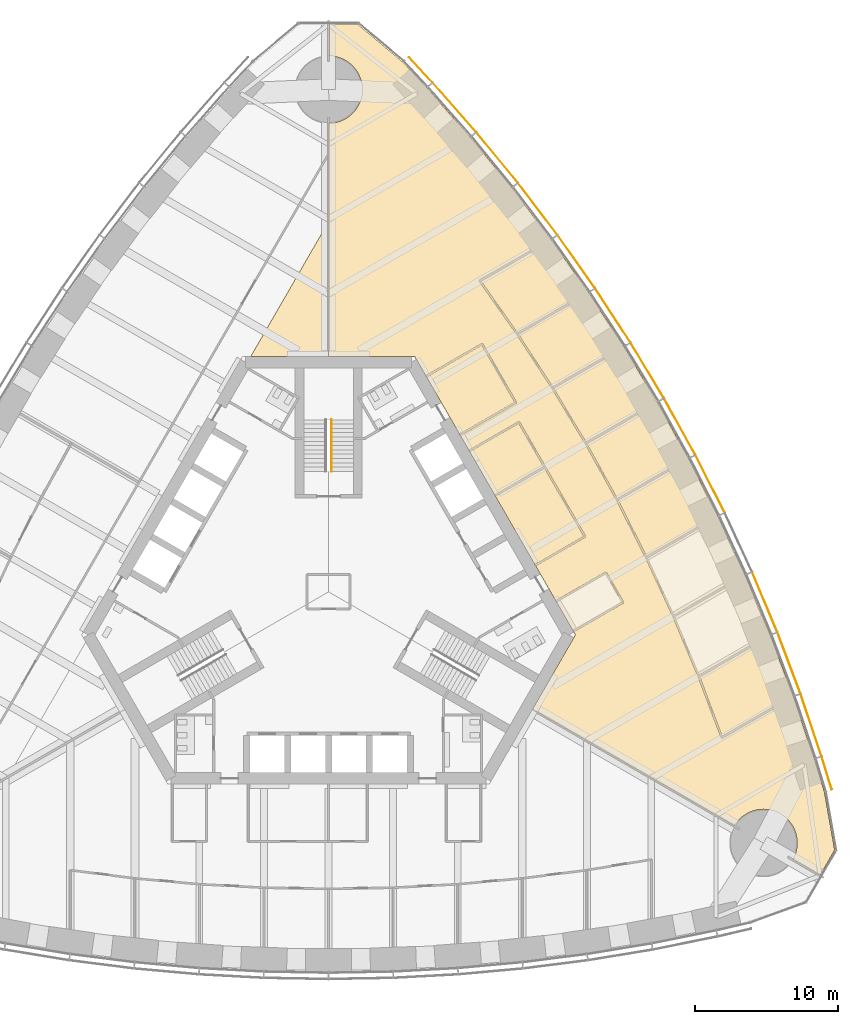
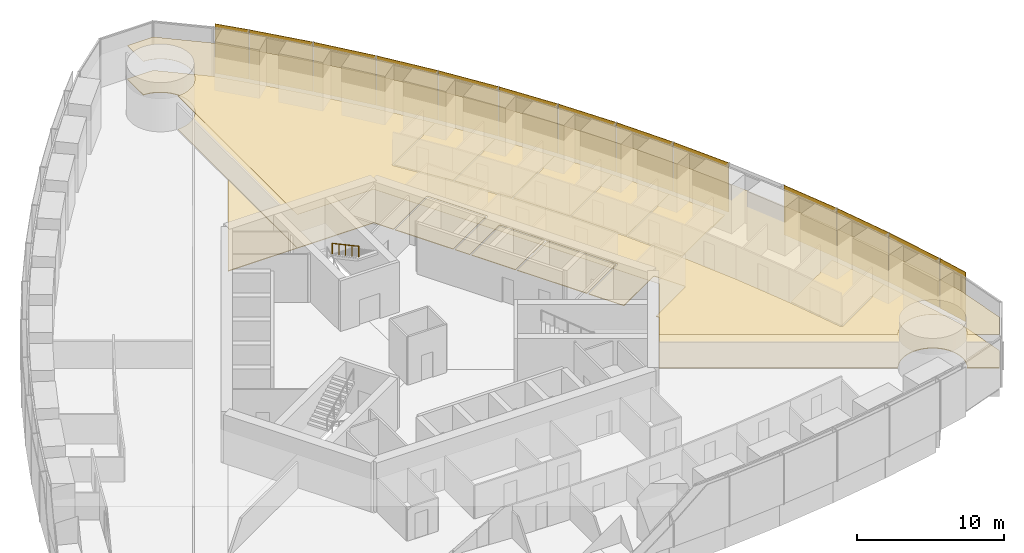
# One storey, part 18 of 20: 13 shading devices, 12 coverings, 1 railing.
"""IFC4 building model written with IfcOpenShell, lengths in metres."""

import ifcopenshell
import ifcopenshell.guid

model = None  # the IFC model being written
_history = None  # IfcOwnerHistory: only IFC2X3 demands one
_inside = {}  # id of a spatial element -> (the spatial element, [elements in it])
_under = {}  # id of a project, library or spatial element -> (it, [spatial elements below it])
_declared = {}  # id of a project -> (the project, [libraries it declares])
_typed = {}  # id of a type object -> (the type object, [elements of that type])
_made_of = {}  # id of a material, layer set ... -> (it, [elements and type objects made of it])


def new_model(schema):
    """Start an empty IFC model of exactly this schema.

    Asked for "IFC4X3", IfcOpenShell would pick the latest addendum, in which some entities
    have other attributes; the version numbers below select the first issue.
    IFC2X3 requires an IfcOwnerHistory on every rooted entity: one is made here for all.
    """
    global model, _history
    if schema == "IFC4X3":
        model = ifcopenshell.file(schema_version=(4, 3, 0, 0))
    else:
        model = ifcopenshell.file(schema=schema)
    _inside.clear()
    _under.clear()
    _declared.clear()
    _typed.clear()
    _made_of.clear()
    _history = None
    if model.schema == "IFC2X3":
        org = make("IfcOrganization", Name="unknown")
        user = make(
            "IfcPersonAndOrganization",
            ThePerson=make("IfcPerson", FamilyName="unknown"),
            TheOrganization=org,
        )
        app = make(
            "IfcApplication",
            ApplicationDeveloper=org,
            Version="unknown",
            ApplicationFullName="unknown",
            ApplicationIdentifier="unknown",
        )
        _history = make(
            "IfcOwnerHistory",
            OwningUser=user,
            OwningApplication=app,
            ChangeAction="ADDED",
            CreationDate=0,
        )
    return model


def make(cls, **values):
    """One entity of the class cls with the attributes given. An attribute that is None is left unset."""
    return model.create_entity(
        cls, **{name: value for name, value in values.items() if value is not None}
    )


def rooted(cls, **values):
    """An entity with a GlobalId (a new one), such as an element, a storey or a relation."""
    return make(cls, GlobalId=ifcopenshell.guid.new(), OwnerHistory=_history, **values)


def si_unit(unit_type, name, prefix=None):
    """IfcSIUnit, for example si_unit("LENGTHUNIT", "METRE", prefix="MILLI")."""
    return make("IfcSIUnit", UnitType=unit_type, Prefix=prefix, Name=name)


def assignment(units):
    """IfcUnitAssignment: the units of a project."""
    return None if units is None else make("IfcUnitAssignment", Units=units)


def point(xyz):
    """IfcCartesianPoint."""
    return None if xyz is None else make("IfcCartesianPoint", Coordinates=xyz)


def direction(xyz):
    """IfcDirection."""
    return None if xyz is None else make("IfcDirection", DirectionRatios=xyz)


def frame(location, z_axis=None, x_axis=None):
    """IfcAxis2Placement3D, a coordinate frame: its origin and axes. An axis left out is left unset."""
    return make(
        "IfcAxis2Placement3D",
        Location=point(location),
        Axis=direction(z_axis),
        RefDirection=direction(x_axis),
    )


def frame_2d(location, x_axis=None):
    """IfcAxis2Placement2D, a coordinate frame in the plane: its origin and x axis."""
    return make(
        "IfcAxis2Placement2D", Location=point(location), RefDirection=direction(x_axis)
    )


def origin():
    """The frame at (0, 0, 0) with its axes left unset."""
    return frame((0.0, 0.0, 0.0))


def origin_2d():
    """The frame at (0, 0) in the plane with its x axis left unset."""
    return frame_2d((0.0, 0.0))


def place(relative_to, where):
    """IfcLocalPlacement: puts the frame where relative to a parent placement (None: the world)."""
    return make(
        "IfcLocalPlacement", PlacementRelTo=relative_to, RelativePlacement=where
    )


def context(
    kind, dimensions, precision=None, world=None, true_north=None, identifier=None
):
    """IfcGeometricRepresentationContext, for example the 3D "Model" context."""
    return make(
        "IfcGeometricRepresentationContext",
        ContextIdentifier=identifier,
        ContextType=kind,
        CoordinateSpaceDimension=dimensions,
        Precision=precision,
        WorldCoordinateSystem=world,
        TrueNorth=true_north,
    )


def subcontext(parent, identifier, kind, view, scale=None):
    """IfcGeometricRepresentationSubContext, for example "Body" below "Model"."""
    return make(
        "IfcGeometricRepresentationSubContext",
        ContextIdentifier=identifier,
        ContextType=kind,
        ParentContext=parent,
        TargetScale=scale,
        TargetView=view,
    )


def project(units=None, contexts=None):
    """IfcProject with its units and contexts."""
    return rooted(
        "IfcProject",
        Name="project",
        RepresentationContexts=contexts,
        UnitsInContext=assignment(units),
    )


def spatial(cls, under=None, at=None, **own):
    """A site, building, storey or space (cls), placed at a placement, below another one or the project."""
    s = rooted(cls, ObjectPlacement=at, **own)
    if under is not None:
        _under.setdefault(under.id(), (under, []))[1].append(s)
    return s


def polyline(points):
    """IfcPolyline through the points."""
    return make("IfcPolyline", Points=[point(p) for p in points])


def profile(cls, at=None, kind="AREA", **sizes):
    """A parametric profile (cls). Its sizes go by their IFC names, for example OverallWidth=200.0."""
    return make(cls, ProfileType=kind, Position=at, **sizes)


def rectangle(**sizes):
    """IfcRectangleProfileDef."""
    return profile("IfcRectangleProfileDef", **sizes)


def circle(**sizes):
    """IfcCircleProfileDef."""
    return profile("IfcCircleProfileDef", **sizes)


def outline(outer, holes=None, kind="AREA"):
    """IfcArbitraryClosedProfileDef: a profile drawn as a closed curve; with holes, ...WithVoids."""
    if holes is None:
        return make("IfcArbitraryClosedProfileDef", ProfileType=kind, OuterCurve=outer)
    return make(
        "IfcArbitraryProfileDefWithVoids",
        ProfileType=kind,
        OuterCurve=outer,
        InnerCurves=holes,
    )


def extrude(swept, where, along, depth):
    """IfcExtrudedAreaSolid: the profile swept, set in the frame where, extruded along a direction by depth."""
    return make(
        "IfcExtrudedAreaSolid",
        SweptArea=swept,
        Position=where,
        ExtrudedDirection=direction(along),
        Depth=depth,
    )


def shape(context_of_items, identifier, shape_type, items):
    """IfcShapeRepresentation: the items that make up one representation, for example the "Body"."""
    return make(
        "IfcShapeRepresentation",
        ContextOfItems=context_of_items,
        RepresentationIdentifier=identifier,
        RepresentationType=shape_type,
        Items=items,
    )


def material(Name=None, Category=None):
    """IfcMaterial."""
    return make("IfcMaterial", Name=Name, Category=Category)


def layer(
    of_material, thickness, ventilated=None, Name=None, Category=None, Priority=None
):
    """IfcMaterialLayer: one layer of a wall or slab, of a material (None: an air gap)."""
    return make(
        "IfcMaterialLayer",
        Material=of_material,
        LayerThickness=thickness,
        IsVentilated=ventilated,
        Name=Name,
        Category=Category,
        Priority=Priority,
    )


def layer_set(layers, Name=None):
    """IfcMaterialLayerSet."""
    return make("IfcMaterialLayerSet", MaterialLayers=layers, LayerSetName=Name)


def made_of(thing, what):
    """Note that an element or type object is made of a material, layer set ...; save() writes the relation."""
    if what is not None:
        _made_of.setdefault(what.id(), (what, []))[1].append(thing)
    return thing


def type_object(cls, material=None, **own):
    """A type object (cls), such as IfcWallType, which elements share."""
    return made_of(rooted(cls, **own), material)


def element(
    cls,
    number,
    at=None,
    inside=None,
    cuts=None,
    type_object=None,
    material=None,
    context=None,
    identifier="Body",
    shape_type=None,
    held_by="IfcProductDefinitionShape",
    body=None,
    shapes=None,
    **own,
):
    """One element of the class cls, such as IfcWall. Its Tag is "e" and its number.

    at: its placement. inside: the storey or other place that contains it. cuts: it is an
    opening in that element (IfcRelVoidsElement). A single representation is given by context,
    identifier, shape_type and body (its items); several are given by shapes. held_by: the class
    of the entity that holds the representations. save() writes the other relations.
    """
    e = rooted(cls, Tag="e%d" % number, ObjectPlacement=at, **own)
    if body is not None:
        shapes = [shape(context, identifier, shape_type, body)]
    if shapes is not None:
        e.Representation = make(held_by, Representations=shapes)
    if inside is not None:
        _inside.setdefault(inside.id(), (inside, []))[1].append(e)
    if cuts is not None:
        rooted(
            "IfcRelVoidsElement", RelatingBuildingElement=cuts, RelatedOpeningElement=e
        )
    if type_object is not None:
        _typed.setdefault(type_object.id(), (type_object, []))[1].append(e)
    return made_of(e, material)


def aggregate(whole, parts):
    """IfcRelAggregates: a whole, such as a stair, and the parts it consists of."""
    return rooted("IfcRelAggregates", RelatingObject=whole, RelatedObjects=parts)


def save(model, path):
    """Write the relations noted so far, then the file.

    IfcRelAggregates (storeys below a building ...), IfcRelContainedInSpatialStructure (elements
    in a storey), IfcRelDefinesByType, IfcRelAssociatesMaterial and IfcRelDeclares: one each for
    every whole, place, type object, material and project.
    """
    for whole, parts in _under.values():
        aggregate(whole, parts)
    for where, things in _inside.values():
        rooted(
            "IfcRelContainedInSpatialStructure",
            RelatedElements=things,
            RelatingStructure=where,
        )
    for kind, things in _typed.values():
        rooted("IfcRelDefinesByType", RelatedObjects=things, RelatingType=kind)
    for what, things in _made_of.values():
        rooted("IfcRelAssociatesMaterial", RelatedObjects=things, RelatingMaterial=what)
    for by, libraries in _declared.values():
        rooted("IfcRelDeclares", RelatingContext=by, RelatedDefinitions=libraries)
    model.write(path)


model = new_model("IFC4")

# Units and contexts
model_context = context("Model", 3, precision=1e-05, world=origin(), true_north=direction((0.0, 1.0)))
body_context = subcontext(model_context, "Body", "Model", "MODEL_VIEW")
ifc_project = project(units=[si_unit("LENGTHUNIT", "METRE"), si_unit("AREAUNIT", "SQUARE_METRE"), si_unit("VOLUMEUNIT", "CUBIC_METRE"), si_unit("PLANEANGLEUNIT", "RADIAN"), si_unit("MASSUNIT", "GRAM", prefix="KILO")], contexts=[model_context])

# Site, building, storey
site_placement = place(None, origin())
site = spatial("IfcSite", under=ifc_project, at=site_placement, CompositionType="ELEMENT")
building_placement = place(site_placement, origin())
building = spatial("IfcBuilding", under=site, at=building_placement, Name="Trefoil Bronze Tower", CompositionType="ELEMENT")
storey_placement = place(building_placement, frame((0.0, 0.0, 103.10009765625)))
storey = spatial("IfcBuildingStorey", under=building, at=storey_placement, Name="L23", CompositionType="ELEMENT", Elevation=103.10009765625)

# Shading devices
ifc_material_1 = material(Name="Perforated bronze sheet", Category="bronze")
ifc_layer_1 = layer(ifc_material_1, 0.0400390625)
ifc_layer_set_1 = layer_set([ifc_layer_1], Name="Bronze solar screen panel")
shading_device_type = type_object("IfcShadingDeviceType", Name="Bronze solar screen panel", PredefinedType="SHUTTER", material=ifc_layer_set_1)
shading_device_1_placement = place(storey_placement, frame((34.717529296875, -12.634765625, 0.0498046875), z_axis=(0.0, 0.0, 1.0), x_axis=(-0.291668676391, 0.956519410787, 0.0)))
element("IfcShadingDevice", 1, at=shading_device_1_placement, inside=storey, type_object=shading_device_type, Name="Solar screen CW-A L23 F2 bay 1", PredefinedType="SHUTTER", context=body_context, shape_type="SweptSolid", body=[
    extrude(rectangle(XDim=2.39013671875, YDim=0.0400390625, at=origin_2d()), origin(), (0.0, 0.0, 1.0), 4.10009765625),
])
shading_device_2_placement = place(storey_placement, frame((33.62890625, -9.286865234375, 0.0498046875), z_axis=(0.0, 0.0, 1.0), x_axis=(-0.318403749569, 0.947955195281, 0.0)))
element("IfcShadingDevice", 2, at=shading_device_2_placement, inside=storey, type_object=shading_device_type, Name="Solar screen CW-A L23 F2 bay 2", PredefinedType="SHUTTER", context=body_context, shape_type="SweptSolid", body=[
    extrude(rectangle(XDim=4.56103515625, YDim=0.0400390625, at=origin_2d()), origin(), (0.0, 0.0, 1.0), 4.10009765625),
])
shading_device_3_placement = place(storey_placement, frame((32.086669921875, -4.95849609375, 0.0498046875), z_axis=(0.0, 0.0, 1.0), x_axis=(-0.352919739707, 0.935653599002, 0.0)))
element("IfcShadingDevice", 3, at=shading_device_3_placement, inside=storey, type_object=shading_device_type, Name="Solar screen CW-A L23 F2 bay 3", PredefinedType="SHUTTER", context=body_context, shape_type="SweptSolid", body=[
    extrude(rectangle(XDim=4.5302734375, YDim=0.0400390625, at=origin_2d()), origin(), (0.0, 0.0, 1.0), 4.10009765625),
])
shading_device_4_placement = place(storey_placement, frame((30.3974609375, -0.715087890625, 0.0498046875), z_axis=(0.0, 0.0, 1.0), x_axis=(-0.386759234303, 0.922180727776, 0.0)))
element("IfcShadingDevice", 4, at=shading_device_4_placement, inside=storey, type_object=shading_device_type, Name="Solar screen CW-A L23 F2 bay 4", PredefinedType="SHUTTER", context=body_context, shape_type="SweptSolid", body=[
    extrude(rectangle(XDim=4.50634765625, YDim=0.0400390625, at=origin_2d()), origin(), (0.0, 0.0, 1.0), 4.10009765625),
])
shading_device_5_placement = place(storey_placement, frame((26.5869140625, 7.52197265625, 0.0498046875), z_axis=(0.0, 0.0, 1.0), x_axis=(-0.452448919686, 0.891790320128, 0.0)))
element("IfcShadingDevice", 5, at=shading_device_5_placement, inside=storey, type_object=shading_device_type, Name="Solar screen CW-A L23 F2 bay 6", PredefinedType="SHUTTER", context=body_context, shape_type="SweptSolid", body=[
    extrude(rectangle(XDim=4.4765625, YDim=0.0400390625, at=origin_2d()), origin(), (0.0, 0.0, 1.0), 4.10009765625),
])
for number, where, z_axis, x_axis, name in (
    (6, (24.468505859375, 11.517578125, 0.0498046875), (0.0, 0.0, 1.0), (-0.484312195836, 0.874895249138, 0.0), "Solar screen CW-A L23 F2 bay 7"),
    (7, (22.208740234375, 15.431396484375, 0.0498046875), (0.0, 0.0, 1.0), (-0.515525413486, 0.856874289526, 0.0), "Solar screen CW-A L23 F2 bay 8"),
):
    element("IfcShadingDevice", number, at=place(storey_placement, frame(where, z_axis=z_axis, x_axis=x_axis)), inside=storey, type_object=shading_device_type, Name=name, PredefinedType="SHUTTER", context=body_context, shape_type="SweptSolid", body=[
        extrude(rectangle(XDim=4.470703125, YDim=0.0400390625, at=origin_2d()), origin(), (0.0, 0.0, 1.0), 4.10009765625),
    ])
shading_device_6_placement = place(storey_placement, frame((19.8076171875, 19.263916015625, 0.0498046875), z_axis=(0.0, 0.0, 1.0), x_axis=(-0.546088612237, 0.837727418427, 0.0)))
element("IfcShadingDevice", 8, at=shading_device_6_placement, inside=storey, type_object=shading_device_type, Name="Solar screen CW-A L23 F2 bay 9", PredefinedType="SHUTTER", context=body_context, shape_type="SweptSolid", body=[
    extrude(rectangle(XDim=4.4765625, YDim=0.0400390625, at=origin_2d()), origin(), (0.0, 0.0, 1.0), 4.10009765625),
])
shading_device_7_placement = place(storey_placement, frame((17.264892578125, 23.014404296875, 0.0498046875), z_axis=(0.0, 0.0, 1.0), x_axis=(-0.575999283275, 0.817450197667, 0.0)))
element("IfcShadingDevice", 9, at=shading_device_7_placement, inside=storey, type_object=shading_device_type, Name="Solar screen CW-A L23 F2 bay 10", PredefinedType="SHUTTER", context=body_context, shape_type="SweptSolid", body=[
    extrude(rectangle(XDim=4.48828125, YDim=0.0400390625, at=origin_2d()), origin(), (0.0, 0.0, 1.0), 4.10009765625),
])
shading_device_8_placement = place(storey_placement, frame((14.579345703125, 26.6826171875, 0.0498046875), z_axis=(0.0, 0.0, 1.0), x_axis=(-0.605252319983, 0.796033685943, 0.0)))
element("IfcShadingDevice", 10, at=shading_device_8_placement, inside=storey, type_object=shading_device_type, Name="Solar screen CW-A L23 F2 bay 11", PredefinedType="SHUTTER", context=body_context, shape_type="SweptSolid", body=[
    extrude(rectangle(XDim=4.50634765625, YDim=0.0400390625, at=origin_2d()), origin(), (0.0, 0.0, 1.0), 4.10009765625),
])
shading_device_9_placement = place(storey_placement, frame((11.7490234375, 30.26708984375, 0.0498046875), z_axis=(0.0, 0.0, 1.0), x_axis=(-0.633839916024, 0.773464259584, 0.0)))
element("IfcShadingDevice", 11, at=shading_device_9_placement, inside=storey, type_object=shading_device_type, Name="Solar screen CW-A L23 F2 bay 12", PredefinedType="SHUTTER", context=body_context, shape_type="SweptSolid", body=[
    extrude(rectangle(XDim=4.5302734375, YDim=0.0400390625, at=origin_2d()), origin(), (0.0, 0.0, 1.0), 4.10009765625),
])
shading_device_10_placement = place(storey_placement, frame((8.77197265625, 33.766845703125, 0.0498046875), z_axis=(0.0, 0.0, 1.0), x_axis=(-0.661751405978, 0.749723333428, 0.0)))
element("IfcShadingDevice", 12, at=shading_device_10_placement, inside=storey, type_object=shading_device_type, Name="Solar screen CW-A L23 F2 bay 13", PredefinedType="SHUTTER", context=body_context, shape_type="SweptSolid", body=[
    extrude(rectangle(XDim=4.56103515625, YDim=0.0400390625, at=origin_2d()), origin(), (0.0, 0.0, 1.0), 4.10009765625),
])
shading_device_11_placement = place(storey_placement, frame((6.416748046875, 36.383544921875, 0.0498046875), z_axis=(0.0, 0.0, 1.0), x_axis=(-0.682535770759, 0.730852188636, 0.0)))
element("IfcShadingDevice", 13, at=shading_device_11_placement, inside=storey, type_object=shading_device_type, Name="Solar screen CW-A L23 F2 bay 14", PredefinedType="SHUTTER", context=body_context, shape_type="SweptSolid", body=[
    extrude(rectangle(XDim=2.39013671875, YDim=0.0400390625, at=origin_2d()), origin(), (0.0, 0.0, 1.0), 4.10009765625),
])

# Railing
ifc_material_2 = material(Name="Steel handrail", Category="steel")
railing_type = type_object("IfcRailingType", Name="Handrail 900", PredefinedType="HANDRAIL", material=ifc_material_2)
railing_placement = place(storey_placement, frame((0.199951171875, 11.989990234375, 2.261474609375)))
element("IfcRailing", 14, at=railing_placement, inside=storey, type_object=railing_type, Name="Handrail ST2 flight 2 L23", PredefinedType="HANDRAIL", context=body_context, shape_type="SweptSolid", body=[
    extrude(circle(Radius=0.02392578125, at=origin_2d()), frame((0.0, 0.0, 0.8759765625), z_axis=(0.0, -0.880474934443, 0.474092701714), x_axis=(1.0, 0.0, 0.0)), (0.0, 0.0, 1.0), 4.0888671875),
    extrude(circle(Radius=0.02099609375, at=origin_2d()), origin(), (0.0, 0.0, 1.0), 0.851806640625),
    extrude(circle(Radius=0.02099609375, at=origin_2d()), frame((0.0, -0.89990234375, 0.484619140625)), (0.0, 0.0, 1.0), 0.851806640625),
    extrude(circle(Radius=0.02099609375, at=origin_2d()), frame((0.0, -1.800048828125, 0.96923828125)), (0.0, 0.0, 1.0), 0.851806640625),
    extrude(circle(Radius=0.02099609375, at=origin_2d()), frame((0.0, -2.7001953125, 1.453857421875)), (0.0, 0.0, 1.0), 0.851806640625),
    extrude(circle(Radius=0.02099609375, at=origin_2d()), frame((0.0, -3.60009765625, 1.9384765625)), (0.0, 0.0, 1.0), 0.851806640625),
])

# Coverings
ifc_material_3 = material(Name="Acoustic ceiling panels", Category="mineral fibre")
ifc_layer_2 = layer(ifc_material_3, 0.02001953125)
ifc_layer_set_2 = layer_set([ifc_layer_2], Name="Office ceiling 20")
covering_type_1 = type_object("IfcCoveringType", Name="Office ceiling 20", PredefinedType="CEILING", material=ifc_layer_set_2)
covering_1_placement = place(storey_placement, frame((0.0, 0.0, 2.89990234375)))
element("IfcCovering", 15, at=covering_1_placement, inside=storey, type_object=covering_type_1, Name="Ceiling L23 Secretarial area F2", PredefinedType="CEILING", context=body_context, shape_type="SweptSolid", body=[
    extrude(outline(polyline([(6.847900390625, 35.130615234375), (9.885986328125, 31.6884765625), (12.776611328125, 28.1611328125), (15.522216796875, 24.55029296875), (18.124755859375, 20.856689453125), (20.585693359375, 17.081298828125), (22.906005859375, 13.224853515625), (25.085693359375, 9.287109375), (27.124755859375, 5.268310546875), (29.022216796875, 1.16748046875), (30.776611328125, -3.015625), (32.385986328125, -7.28271484375), (33.847900390625, -11.634765625), (34.5537109375, -13.94970703125), (35.2666015625, -17.99169921875), (34.247802734375, -19.755859375), (32.352294921875, -18.66259765625), (32.38330078125, -18.60791015625), (32.435302734375, -18.5048828125), (32.48193359375, -18.3994140625), (32.5234375, -18.291748046875), (32.559814453125, -18.18212890625), (32.590576171875, -18.071044921875), (32.61572265625, -17.95849609375), (32.635498046875, -17.8447265625), (32.649658203125, -17.730224609375), (32.658203125, -17.615234375), (32.660888671875, -17.5), (32.658203125, -17.384765625), (32.649658203125, -17.269775390625), (32.635498046875, -17.1552734375), (32.61572265625, -17.04150390625), (32.590576171875, -16.928955078125), (32.559814453125, -16.81787109375), (32.5234375, -16.708251953125), (32.48193359375, -16.6005859375), (32.435302734375, -16.4951171875), (32.38330078125, -16.39208984375), (32.32666015625, -16.2919921875), (32.264892578125, -16.1943359375), (32.198486328125, -16.10009765625), (32.12744140625, -16.00927734375), (32.052001953125, -15.921875), (31.97265625, -15.83837890625), (31.88916015625, -15.7587890625), (31.8017578125, -15.683349609375), (31.710693359375, -15.612548828125), (31.616455078125, -15.5458984375), (31.51904296875, -15.484375), (31.418701171875, -15.427490234375), (31.315673828125, -15.37548828125), (31.210205078125, -15.328857421875), (31.1025390625, -15.287353515625), (30.9931640625, -15.251220703125), (30.8818359375, -15.220458984375), (30.769287109375, -15.1953125), (30.65576171875, -15.17529296875), (30.541259765625, -15.161376953125), (30.42626953125, -15.15283203125), (30.310791015625, -15.14990234375), (30.195556640625, -15.15283203125), (30.08056640625, -15.161376953125), (29.966064453125, -15.17529296875), (29.852294921875, -15.1953125), (29.739990234375, -15.220458984375), (29.628662109375, -15.251220703125), (29.519287109375, -15.287353515625), (29.41162109375, -15.328857421875), (29.30615234375, -15.37548828125), (29.203125, -15.427490234375), (29.102783203125, -15.484375), (29.00537109375, -15.5458984375), (28.910888671875, -15.612548828125), (28.820068359375, -15.683349609375), (28.732666015625, -15.7587890625), (28.649169921875, -15.83837890625), (28.569580078125, -15.921875), (28.494384765625, -16.00927734375), (28.42333984375, -16.10009765625), (28.35693359375, -16.1943359375), (28.295166015625, -16.2919921875), (28.2822265625, -16.314697265625), (14.205810546875, -8.194580078125), (17.205078125, -3.0), (6.00439453125, 16.39990234375), (0.006103515625, 16.39990234375), (0.01220703125, 32.650390625), (0.115234375, 32.65283203125), (0.230224609375, 32.661376953125), (0.3447265625, 32.67529296875), (0.45849609375, 32.6953125), (0.571044921875, 32.720458984375), (0.68212890625, 32.751220703125), (0.791748046875, 32.787353515625), (0.8994140625, 32.828857421875), (1.0048828125, 32.87548828125), (1.10791015625, 32.927490234375), (1.2080078125, 32.984375), (1.3056640625, 33.0458984375), (1.39990234375, 33.112548828125), (1.49072265625, 33.183349609375), (1.578125, 33.2587890625), (1.66162109375, 33.33837890625), (1.7412109375, 33.421875), (1.816650390625, 33.50927734375), (1.887451171875, 33.60009765625), (1.9541015625, 33.6943359375), (2.015625, 33.7919921875), (2.072509765625, 33.89208984375), (2.12451171875, 33.9951171875), (2.171142578125, 34.1005859375), (2.212646484375, 34.208251953125), (2.248779296875, 34.31787109375), (2.279541015625, 34.428955078125), (2.3046875, 34.54150390625), (2.32470703125, 34.6552734375), (2.338623046875, 34.769775390625), (2.34716796875, 34.884765625), (2.35009765625, 35.0), (2.34716796875, 35.115234375), (2.338623046875, 35.230224609375), (2.32470703125, 35.3447265625), (2.3046875, 35.45849609375), (2.279541015625, 35.571044921875), (2.248779296875, 35.68212890625), (2.212646484375, 35.791748046875), (2.171142578125, 35.8994140625), (2.12451171875, 36.0048828125), (2.072509765625, 36.10791015625), (2.015625, 36.2080078125), (1.9541015625, 36.3056640625), (1.887451171875, 36.39990234375), (1.816650390625, 36.49072265625), (1.7412109375, 36.578125), (1.66162109375, 36.66162109375), (1.578125, 36.7412109375), (1.49072265625, 36.816650390625), (1.39990234375, 36.887451171875), (1.3056640625, 36.9541015625), (1.2080078125, 37.015625), (1.10791015625, 37.072509765625), (1.0048828125, 37.12451171875), (0.8994140625, 37.171142578125), (0.791748046875, 37.212646484375), (0.68212890625, 37.248779296875), (0.571044921875, 37.279541015625), (0.45849609375, 37.3046875), (0.3447265625, 37.32470703125), (0.230224609375, 37.338623046875), (0.115234375, 37.34716796875), (0.013916015625, 37.349609375), (0.014892578125, 39.53759765625), (2.052001953125, 39.53759765625), (5.1962890625, 36.8994140625), (6.847900390625, 35.130615234375)])), origin(), (0.0, 0.0, 1.0), 0.02001953125),
])
ifc_material_4 = material(Name="Raised access floor panels", Category="steel")
ifc_layer_3 = layer(ifc_material_4, 0.050048828125)
ifc_layer_set_3 = layer_set([ifc_layer_3], Name="Raised access floor 150")
covering_type_2 = type_object("IfcCoveringType", Name="Raised access floor 150", PredefinedType="FLOORING", material=ifc_layer_set_3)
covering_2_placement = place(storey_placement, frame((0.0, 0.0, 0.099853515625)))
element("IfcCovering", 16, at=covering_2_placement, inside=storey, type_object=covering_type_2, Name="Raised floor L23 Reception F2", PredefinedType="FLOORING", context=body_context, shape_type="SweptSolid", body=[
    extrude(outline(polyline([(6.834716796875, 14.9619140625), (10.679931640625, 17.181884765625), (12.969970703125, 13.215576171875), (9.124755859375, 10.99560546875), (6.834716796875, 14.9619140625)])), origin(), (0.0, 0.0, 1.0), 0.050048828125),
])
covering_3_placement = place(storey_placement, frame((0.0, 0.0, 0.099853515625)))
element("IfcCovering", 17, at=covering_3_placement, inside=storey, type_object=covering_type_2, Name="Raised floor L23 Meeting room F2", PredefinedType="FLOORING", context=body_context, shape_type="SweptSolid", body=[
    extrude(outline(polyline([(11.634765625, 6.64794921875), (15.046875, 8.617919921875), (17.786865234375, 3.872314453125), (14.374755859375, 1.902099609375), (11.634765625, 6.64794921875)])), origin(), (0.0, 0.0, 1.0), 0.050048828125),
])
covering_4_placement = place(storey_placement, frame((0.0, 0.0, 0.099853515625)))
element("IfcCovering", 18, at=covering_4_placement, inside=storey, type_object=covering_type_2, Name="Raised floor L23 Meeting room F2", PredefinedType="FLOORING", context=body_context, shape_type="SweptSolid", body=[
    extrude(outline(polyline([(9.834716796875, 9.765625), (13.246826171875, 11.735595703125), (14.98681640625, 8.721923828125), (11.57470703125, 6.751953125), (9.834716796875, 9.765625)])), origin(), (0.0, 0.0, 1.0), 0.050048828125),
])
covering_5_placement = place(storey_placement, frame((0.0, 0.0, 0.099853515625)))
element("IfcCovering", 19, at=covering_5_placement, inside=storey, type_object=covering_type_2, Name="Raised floor L23 Office F2", PredefinedType="FLOORING", context=body_context, shape_type="SweptSolid", body=[
    extrude(outline(polyline([(18.124755859375, 20.856689453125), (16.709716796875, 20.03955078125), (16.6796875, 20.091552734375), (13.16259765625, 18.06103515625), (10.62939453125, 21.656005859375), (14.13232421875, 23.678466796875), (14.102294921875, 23.73046875), (15.522216796875, 24.55029296875), (18.124755859375, 20.856689453125)])), origin(), (0.0, 0.0, 1.0), 0.050048828125),
])
covering_6_placement = place(storey_placement, frame((0.0, 0.0, 0.099853515625)))
element("IfcCovering", 20, at=covering_6_placement, inside=storey, type_object=covering_type_2, Name="Raised floor L23 Office F2", PredefinedType="FLOORING", context=body_context, shape_type="SweptSolid", body=[
    extrude(outline(polyline([(20.585693359375, 17.081298828125), (19.17333984375, 16.265869140625), (19.143310546875, 16.31787109375), (15.62548828125, 14.286865234375), (13.22998046875, 17.96142578125), (16.739501953125, 19.987548828125), (16.709716796875, 20.03955078125), (18.124755859375, 20.856689453125), (20.585693359375, 17.081298828125)])), origin(), (0.0, 0.0, 1.0), 0.050048828125),
])
covering_7_placement = place(storey_placement, frame((0.0, 0.0, 0.099853515625)))
element("IfcCovering", 21, at=covering_7_placement, inside=storey, type_object=covering_type_2, Name="Raised floor L23 Office F2", PredefinedType="FLOORING", context=body_context, shape_type="SweptSolid", body=[
    extrude(outline(polyline([(20.585693359375, 17.081298828125), (22.906005859375, 13.224853515625), (21.494384765625, 12.409912109375), (21.464599609375, 12.4619140625), (17.947509765625, 10.431396484375), (15.689208984375, 14.18505859375), (19.203369140625, 16.2138671875), (19.17333984375, 16.265869140625), (20.585693359375, 17.081298828125)])), origin(), (0.0, 0.0, 1.0), 0.050048828125),
])
covering_8_placement = place(storey_placement, frame((0.0, 0.0, 0.099853515625)))
element("IfcCovering", 22, at=covering_8_placement, inside=storey, type_object=covering_type_2, Name="Raised floor L23 Office F2", PredefinedType="FLOORING", context=body_context, shape_type="SweptSolid", body=[
    extrude(outline(polyline([(22.906005859375, 13.224853515625), (25.085693359375, 9.287109375), (23.67333984375, 8.4716796875), (23.643310546875, 8.523681640625), (20.129150390625, 6.49462890625), (18.007568359375, 10.327392578125), (21.5244140625, 12.35791015625), (21.494384765625, 12.409912109375), (22.906005859375, 13.224853515625)])), origin(), (0.0, 0.0, 1.0), 0.050048828125),
])
covering_9_placement = place(storey_placement, frame((0.0, 0.0, 0.099853515625)))
element("IfcCovering", 23, at=covering_9_placement, inside=storey, type_object=covering_type_2, Name="Raised floor L23 Office F2", PredefinedType="FLOORING", context=body_context, shape_type="SweptSolid", body=[
    extrude(outline(polyline([(25.085693359375, 9.287109375), (27.124755859375, 5.268310546875), (25.709716796875, 4.451171875), (25.6796875, 4.503173828125), (22.170166015625, 2.476806640625), (20.185302734375, 6.388671875), (23.703369140625, 8.419677734375), (23.67333984375, 8.4716796875), (25.085693359375, 9.287109375)])), origin(), (0.0, 0.0, 1.0), 0.050048828125),
])
covering_10_placement = place(storey_placement, frame((0.0, 0.0, 0.099853515625)))
element("IfcCovering", 24, at=covering_10_placement, inside=storey, type_object=covering_type_2, Name="Raised floor L23 Office F2", PredefinedType="FLOORING", context=body_context, shape_type="SweptSolid", body=[
    extrude(outline(polyline([(30.776611328125, -3.015625), (32.385986328125, -7.28271484375), (30.951171875, -8.111083984375), (30.921142578125, -8.05908203125), (27.437744140625, -10.0703125), (25.87109375, -5.917236328125), (29.38037109375, -3.89111328125), (29.350341796875, -3.839111328125), (30.776611328125, -3.015625)])), origin(), (0.0, 0.0, 1.0), 0.050048828125),
])
covering_11_placement = place(storey_placement, frame((0.0, 0.0, 0.099853515625)))
element("IfcCovering", 25, at=covering_11_placement, inside=storey, type_object=covering_type_2, Name="Raised floor L23 Secretarial area F2", PredefinedType="FLOORING", context=body_context, shape_type="SweptSolid", body=[
    extrude(outline(polyline([(12.776611328125, 28.1611328125), (15.522216796875, 24.55029296875), (14.102294921875, 23.73046875), (14.072509765625, 23.782470703125), (10.5126953125, 21.727294921875), (10.54248046875, 21.67529296875), (10.49365234375, 21.640625), (13.095458984375, 17.947998046875), (15.555419921875, 14.174560546875), (17.87451171875, 10.31982421875), (20.05322265625, 6.384033203125), (22.09130859375, 2.3671875), (23.98779296875, -1.731689453125), (25.7412109375, -5.912841796875), (27.350341796875, -10.1787109375), (27.406494140625, -10.15771484375), (27.4365234375, -10.209716796875), (30.981201171875, -8.1630859375), (30.951171875, -8.111083984375), (32.385986328125, -7.28271484375), (33.847900390625, -11.634765625), (34.5537109375, -13.94970703125), (35.2666015625, -17.99169921875), (34.247802734375, -19.755859375), (32.352294921875, -18.66259765625), (32.38330078125, -18.60791015625), (32.435302734375, -18.5048828125), (32.48193359375, -18.3994140625), (32.5234375, -18.291748046875), (32.559814453125, -18.18212890625), (32.590576171875, -18.071044921875), (32.61572265625, -17.95849609375), (32.635498046875, -17.8447265625), (32.649658203125, -17.730224609375), (32.658203125, -17.615234375), (32.660888671875, -17.5), (32.658203125, -17.384765625), (32.649658203125, -17.269775390625), (32.635498046875, -17.1552734375), (32.61572265625, -17.04150390625), (32.590576171875, -16.928955078125), (32.559814453125, -16.81787109375), (32.5234375, -16.708251953125), (32.48193359375, -16.6005859375), (32.435302734375, -16.4951171875), (32.38330078125, -16.39208984375), (32.32666015625, -16.2919921875), (32.264892578125, -16.1943359375), (32.198486328125, -16.10009765625), (32.12744140625, -16.00927734375), (32.052001953125, -15.921875), (31.97265625, -15.83837890625), (31.88916015625, -15.7587890625), (31.8017578125, -15.683349609375), (31.710693359375, -15.612548828125), (31.616455078125, -15.5458984375), (31.51904296875, -15.484375), (31.418701171875, -15.427490234375), (31.315673828125, -15.37548828125), (31.210205078125, -15.328857421875), (31.1025390625, -15.287353515625), (30.9931640625, -15.251220703125), (30.8818359375, -15.220458984375), (30.769287109375, -15.1953125), (30.65576171875, -15.17529296875), (30.541259765625, -15.161376953125), (30.42626953125, -15.15283203125), (30.310791015625, -15.14990234375), (30.195556640625, -15.15283203125), (30.08056640625, -15.161376953125), (29.966064453125, -15.17529296875), (29.852294921875, -15.1953125), (29.739990234375, -15.220458984375), (29.628662109375, -15.251220703125), (29.519287109375, -15.287353515625), (29.41162109375, -15.328857421875), (29.30615234375, -15.37548828125), (29.203125, -15.427490234375), (29.102783203125, -15.484375), (29.00537109375, -15.5458984375), (28.910888671875, -15.612548828125), (28.820068359375, -15.683349609375), (28.732666015625, -15.7587890625), (28.649169921875, -15.83837890625), (28.569580078125, -15.921875), (28.494384765625, -16.00927734375), (28.42333984375, -16.10009765625), (28.35693359375, -16.1943359375), (28.295166015625, -16.2919921875), (28.2822265625, -16.314697265625), (14.205810546875, -8.194580078125), (17.205078125, -3.0), (17.084716796875, -2.79150390625), (20.548828125, -0.79150390625), (20.518798828125, -0.73974609375), (20.57080078125, -0.709716796875), (19.370849609375, 1.368896484375), (19.31884765625, 1.3388671875), (19.288818359375, 1.390625), (15.82470703125, -0.609375), (14.434814453125, 1.79833984375), (17.898681640625, 3.79833984375), (17.868896484375, 3.850341796875), (17.9208984375, 3.88037109375), (13.32080078125, 11.84765625), (13.268798828125, 11.817626953125), (13.23876953125, 11.86962890625), (9.774658203125, 9.86962890625), (9.184814453125, 10.8916015625), (13.081787109375, 13.1416015625), (13.052001953125, 13.193603515625), (13.103759765625, 13.223388671875), (10.75390625, 17.293701171875), (10.701904296875, 17.263916015625), (10.671875, 17.31591796875), (6.774658203125, 15.06591796875), (6.00439453125, 16.39990234375), (0.006103515625, 16.39990234375), (0.01220703125, 32.650390625), (0.115234375, 32.65283203125), (0.230224609375, 32.661376953125), (0.3447265625, 32.67529296875), (0.45849609375, 32.6953125), (0.571044921875, 32.720458984375), (0.68212890625, 32.751220703125), (0.791748046875, 32.787353515625), (0.8994140625, 32.828857421875), (1.0048828125, 32.87548828125), (1.10791015625, 32.927490234375), (1.2080078125, 32.984375), (1.3056640625, 33.0458984375), (1.39990234375, 33.112548828125), (1.49072265625, 33.183349609375), (1.578125, 33.2587890625), (1.66162109375, 33.33837890625), (1.7412109375, 33.421875), (1.816650390625, 33.50927734375), (1.887451171875, 33.60009765625), (1.9541015625, 33.6943359375), (2.015625, 33.7919921875), (2.072509765625, 33.89208984375), (2.12451171875, 33.9951171875), (2.171142578125, 34.1005859375), (2.212646484375, 34.208251953125), (2.248779296875, 34.31787109375), (2.279541015625, 34.428955078125), (2.3046875, 34.54150390625), (2.32470703125, 34.6552734375), (2.338623046875, 34.769775390625), (2.34716796875, 34.884765625), (2.35009765625, 35.0), (2.34716796875, 35.115234375), (2.338623046875, 35.230224609375), (2.32470703125, 35.3447265625), (2.3046875, 35.45849609375), (2.279541015625, 35.571044921875), (2.248779296875, 35.68212890625), (2.212646484375, 35.791748046875), (2.171142578125, 35.8994140625), (2.12451171875, 36.0048828125), (2.072509765625, 36.10791015625), (2.015625, 36.2080078125), (1.9541015625, 36.3056640625), (1.887451171875, 36.39990234375), (1.816650390625, 36.49072265625), (1.7412109375, 36.578125), (1.66162109375, 36.66162109375), (1.578125, 36.7412109375), (1.49072265625, 36.816650390625), (1.39990234375, 36.887451171875), (1.3056640625, 36.9541015625), (1.2080078125, 37.015625), (1.10791015625, 37.072509765625), (1.0048828125, 37.12451171875), (0.8994140625, 37.171142578125), (0.791748046875, 37.212646484375), (0.68212890625, 37.248779296875), (0.571044921875, 37.279541015625), (0.45849609375, 37.3046875), (0.3447265625, 37.32470703125), (0.230224609375, 37.338623046875), (0.115234375, 37.34716796875), (0.013916015625, 37.349609375), (0.014892578125, 39.53759765625), (2.052001953125, 39.53759765625), (5.1962890625, 36.8994140625), (6.847900390625, 35.130615234375), (9.885986328125, 31.6884765625), (12.776611328125, 28.1611328125)])), origin(), (0.0, 0.0, 1.0), 0.050048828125),
])
covering_12_placement = place(storey_placement, frame((0.0, 0.0, 0.099853515625)))
element("IfcCovering", 26, at=covering_12_placement, inside=storey, type_object=covering_type_2, Name="Raised floor L23 Secretarial area F3", PredefinedType="FLOORING", context=body_context, shape_type="SweptSolid", body=[
    extrude(outline(polyline([(-0.006103515625, 16.39990234375), (-5.427001953125, 16.39990234375), (-0.009765625, 25.783203125), (-0.006103515625, 16.39990234375)])), origin(), (0.0, 0.0, 1.0), 0.050048828125),
])

save(model, "model.ifc")
